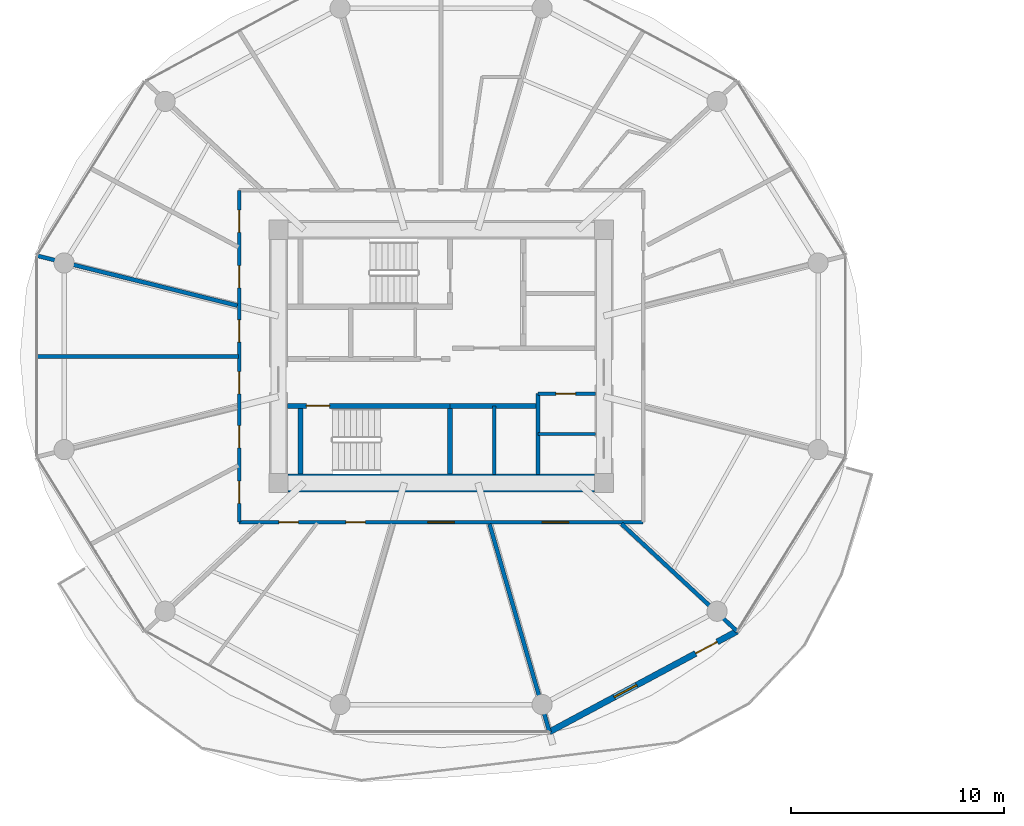
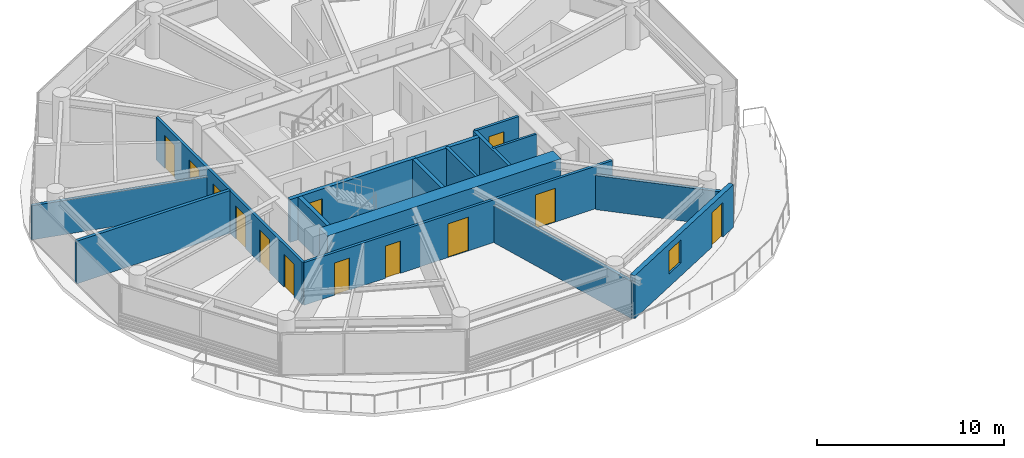
# One storey, part 15 of 26: 16 walls, 13 doors, 1 window, 14 openings.
"""IFC4 building model written with IfcOpenShell, lengths in metres."""

from ifc_helpers import new_model, si_unit, direction, frame, frame_2d, origin, place, context, subcontext, project, spatial, rectangle, extrude, source, transform, mapped, material, layer, layer_set, type_object, type_shapes, element, fill, save


model = new_model("IFC4")

# Units and contexts
model_context = context("Model", 3, precision=1e-05, world=origin(), true_north=direction((0.0, 1.0)))
body_context = subcontext(model_context, "Body", "Model", "MODEL_VIEW")
ifc_project = project(units=[si_unit("LENGTHUNIT", "METRE"), si_unit("AREAUNIT", "SQUARE_METRE"), si_unit("VOLUMEUNIT", "CUBIC_METRE"), si_unit("PLANEANGLEUNIT", "RADIAN"), si_unit("MASSUNIT", "GRAM", prefix="KILO")], contexts=[model_context])

# Site, building, storey
site_placement = place(None, origin())
site = spatial("IfcSite", under=ifc_project, at=site_placement, CompositionType="ELEMENT")
building_placement = place(site_placement, origin())
building = spatial("IfcBuilding", under=site, at=building_placement, Name="Norrkilde Senior Care Towers", CompositionType="ELEMENT")
storey_placement = place(building_placement, frame((0.0, 0.0, 55.14990234375)))
storey = spatial("IfcBuildingStorey", under=building, at=storey_placement, Name="L16", CompositionType="ELEMENT", Elevation=55.14990234375)

# Wall
ifc_material_1 = material(Name="Concrete C60/75", Category="concrete")
ifc_layer_1 = layer(ifc_material_1, 0.85009765625)
ifc_layer_set_1 = layer_set([ifc_layer_1], Name="Concrete C60/75")
wall_type_1 = type_object("IfcWallType", Name="Core Shear Wall Z1 850", PredefinedType="SHEAR", material=ifc_layer_set_1)
shared_shape_1 = source(origin(), body_context, "Body", "SweptSolid", [
    extrude(rectangle(XDim=14.39990234375, YDim=0.85009765625, at=frame_2d((7.199951171875, 0.0))), origin(), (0.0, 0.0, 1.0), 2.7900390625),
])
type_shapes(wall_type_1, [shared_shape_1])
wall_1_placement = place(storey_placement, frame((-20.800048828125, -5.949951171875, 0.0), z_axis=(0.0, 0.0, 1.0), x_axis=(-1.0, 0.0, 0.0)))
element("IfcWall", 1, at=wall_1_placement, inside=storey, type_object=wall_type_1, Name="L16 Core W South Shear Wall", PredefinedType="SHEAR", context=body_context, shape_type="MappedRepresentation", body=[
    mapped(shared_shape_1, transform((0.0, 0.0, 0.0), x_axis=(1.0, 0.0, 0.0), y_axis=(0.0, 1.0, 0.0), z_axis=(0.0, 0.0, 1.0), scale=1.0)),
])

# Wall, openings, door, window
ifc_material_2 = material(Name="Precast concrete C45/55", Category="concrete")
ifc_layer_2 = layer(ifc_material_2, 0.2900390625)
ifc_layer_set_2 = layer_set([ifc_layer_2], Name="Precast concrete C45/55")
wall_type_2 = type_object("IfcWallType", Name="Winter Garden Facade Wall 290", PredefinedType="SOLIDWALL", material=ifc_layer_set_2)
shared_shape_2 = source(origin(), body_context, "Body", "SweptSolid", [
    extrude(rectangle(XDim=10.0107421875, YDim=0.2900390625, at=frame_2d((5.00537109375, 0.0))), origin(), (0.0, 0.0, 1.0), 2.7900390625),
])
type_shapes(wall_type_2, [shared_shape_2])
wall_2_placement = place(storey_placement, frame((-14.084228515625, -12.926025390625, 0.0), z_axis=(0.0, 0.0, 1.0), x_axis=(-0.881272505317, -0.472608475773, 0.0)))
wall_2 = element("IfcWall", 2, at=wall_2_placement, inside=storey, type_object=wall_type_2, Name="L16 Drum W Balcony Access Wall 09", PredefinedType="SOLIDWALL", context=body_context, shape_type="MappedRepresentation", body=[
    mapped(shared_shape_2, transform((0.0, 0.0, 0.0), x_axis=(1.0, 0.0, 0.0), y_axis=(0.0, 1.0, 0.0), z_axis=(0.0, 0.0, 1.0), scale=1.0)),
])
opening_1_placement = place(wall_2_placement, frame((1.06005859375, 0.0, 0.0)))
opening_1 = element("IfcOpeningElement", 3, at=opening_1_placement, cuts=wall_2, Name="Opening D-09", PredefinedType="OPENING", context=body_context, shape_type="SweptSolid", body=[
    extrude(rectangle(XDim=1.14990234375, YDim=2.25, at=frame_2d((0.574951171875, 1.125))), frame((0.0, 0.155029296875, 0.0), z_axis=(0.0, -1.0, 0.0), x_axis=(1.0, 0.0, 0.0)), (0.0, 0.0, 1.0), 0.31005859375),
])
opening_2_placement = place(wall_2_placement, frame((5.35546875, 0.0, 0.85009765625)))
opening_2 = element("IfcOpeningElement", 4, at=opening_2_placement, cuts=wall_2, Name="Opening WN-07", PredefinedType="OPENING", context=body_context, shape_type="SweptSolid", body=[
    extrude(rectangle(XDim=1.199951171875, YDim=1.5, at=frame_2d((0.60009765625, 0.75))), frame((0.0, 0.155029296875, 0.0), z_axis=(0.0, -1.0, 0.0), x_axis=(1.0, 0.0, 0.0)), (0.0, 0.0, 1.0), 0.31005859375),
])
ifc_material_3 = material(Name="Anodised Aluminium", Category="aluminium")
door_type_1 = type_object("IfcDoorType", Name="Terrace and Balcony Glazed Door 1150x2250", OperationType="NOTDEFINED", PredefinedType="DOOR", material=ifc_material_3)
shared_shape_3 = source(origin(), body_context, "Body", "SweptSolid", [
    extrude(rectangle(XDim=1.14990234375, YDim=2.25, at=frame_2d((0.574951171875, 1.125))), frame((0.0, 0.02490234375, 0.0), z_axis=(0.0, -1.0, 0.0), x_axis=(1.0, 0.0, 0.0)), (0.0, 0.0, 1.0), 0.050048828125),
])
type_shapes(door_type_1, [shared_shape_3])
door_1_placement = place(opening_1_placement, origin())
door_1 = element("IfcDoor", 5, at=door_1_placement, inside=storey, type_object=door_type_1, Name="L16 Drum W Outdoor Terrace Door 09", OperationType="SINGLE_SWING_RIGHT", OverallHeight=2.25, OverallWidth=1.14990234375, PredefinedType="DOOR", context=body_context, shape_type="MappedRepresentation", body=[
    mapped(shared_shape_3, transform((0.0, 0.0, 0.0), x_axis=(1.0, 0.0, 0.0), y_axis=(0.0, 1.0, 0.0), z_axis=(0.0, 0.0, 1.0), scale=1.0)),
])
fill(opening_1, door_1)
ifc_material_4 = material(Name="Triple Low-E Insulated Glazing", Category="glass")
window_type = type_object("IfcWindowType", Name="Stairwell Smoke Vent Window 1200x1500", PartitioningType="SINGLE_PANEL", PredefinedType="WINDOW", material=ifc_material_4)
shared_shape_4 = source(origin(), body_context, "Body", "SweptSolid", [
    extrude(rectangle(XDim=1.199951171875, YDim=1.5, at=frame_2d((0.60009765625, 0.75))), frame((0.0, 0.030029296875, 0.0), z_axis=(0.0, -1.0, 0.0), x_axis=(1.0, 0.0, 0.0)), (0.0, 0.0, 1.0), 0.06005859375),
])
type_shapes(window_type, [shared_shape_4])
window_placement = place(opening_2_placement, origin())
window = element("IfcWindow", 6, at=window_placement, inside=storey, type_object=window_type, Name="L16 Drum W Winter Garden Window 09", OverallHeight=1.5, OverallWidth=1.199951171875, PartitioningType="SINGLE_PANEL", PredefinedType="WINDOW", context=body_context, shape_type="MappedRepresentation", body=[
    mapped(shared_shape_4, transform((0.0, 0.0, 0.0), x_axis=(1.0, 0.0, 0.0), y_axis=(0.0, 1.0, 0.0), z_axis=(0.0, 0.0, 1.0), scale=1.0)),
])
fill(opening_2, window)

# Wall, opening, door
ifc_material_5 = material(Name="Concrete C45/55", Category="concrete")
ifc_layer_3 = layer(ifc_material_5, 0.239990234375)
ifc_layer_set_3 = layer_set([ifc_layer_3], Name="Concrete C45/55")
wall_type_3 = type_object("IfcWallType", Name="Shaft and Stair Enclosure Wall 240", PredefinedType="PARTITIONING", material=ifc_layer_set_3)
shared_shape_5 = source(origin(), body_context, "Body", "SweptSolid", [
    extrude(rectangle(XDim=7.76513671875, YDim=0.239990234375, at=frame_2d((3.882568359375, 0.0))), origin(), (0.0, 0.0, 1.0), 2.7900390625),
])
wall_3_placement = place(storey_placement, frame((-35.22509765625, -2.330078125, 0.0), z_axis=(0.0, 0.0, 1.0), x_axis=(1.0, 0.0, 0.0)))
wall_3 = element("IfcWall", 7, at=wall_3_placement, inside=storey, type_object=wall_type_3, Name="WL-INT-L16-W-ST2N", PredefinedType="PARTITIONING", context=body_context, shape_type="MappedRepresentation", body=[
    mapped(shared_shape_5, transform((0.0, 0.0, 0.0), x_axis=(1.0, 0.0, 0.0), y_axis=(0.0, 1.0, 0.0), z_axis=(0.0, 0.0, 1.0), scale=1.0)),
])
opening_3_placement = place(wall_3_placement, frame((0.885009765625, 0.0, 0.0)))
opening_3 = element("IfcOpeningElement", 8, at=opening_3_placement, cuts=wall_3, Name="Opening D-03", PredefinedType="OPENING", context=body_context, shape_type="SweptSolid", body=[
    extrude(rectangle(XDim=1.10009765625, YDim=2.14990234375, at=frame_2d((0.550048828125, 1.074951171875))), frame((0.0, 0.1298828125, 0.0), z_axis=(0.0, -1.0, 0.0), x_axis=(1.0, 0.0, 0.0)), (0.0, 0.0, 1.0), 0.260009765625),
])
ifc_material_6 = material(Name="Galvanised Painted Steel", Category="steel")
door_type_2 = type_object("IfcDoorType", Name="Stairwell Protected Fire Door 1100x2150", OperationType="NOTDEFINED", PredefinedType="DOOR", material=ifc_material_6)
shared_shape_6 = source(origin(), body_context, "Body", "SweptSolid", [
    extrude(rectangle(XDim=1.10009765625, YDim=2.14990234375, at=frame_2d((0.550048828125, 1.074951171875))), frame((0.0, 0.02490234375, 0.0), z_axis=(0.0, -1.0, 0.0), x_axis=(1.0, 0.0, 0.0)), (0.0, 0.0, 1.0), 0.050048828125),
])
type_shapes(door_type_2, [shared_shape_6])
door_2_placement = place(opening_3_placement, frame((1.10009765625, 0.0, 0.0), z_axis=(0.0, 0.0, 1.0), x_axis=(-1.0, 0.0, 0.0)))
door_2 = element("IfcDoor", 9, at=door_2_placement, inside=storey, type_object=door_type_2, Name="L16 Stair W2 Fire Door", OperationType="SINGLE_SWING_RIGHT", OverallHeight=2.14990234375, OverallWidth=1.10009765625, PredefinedType="DOOR", context=body_context, shape_type="MappedRepresentation", body=[
    mapped(shared_shape_6, transform((0.0, 0.0, 0.0), x_axis=(1.0, 0.0, 0.0), y_axis=(0.0, 1.0, 0.0), z_axis=(0.0, 0.0, 1.0), scale=1.0)),
])
fill(opening_3, door_2)

# Walls
shared_shape_7 = source(origin(), body_context, "Body", "SweptSolid", [
    extrude(rectangle(XDim=3.074951171875, YDim=0.239990234375, at=frame_2d((1.53759765625, 0.0))), origin(), (0.0, 0.0, 1.0), 2.7900390625),
])
type_shapes(wall_type_3, [shared_shape_5, shared_shape_7])
for number, where, z_axis, x_axis, name in (
    (10, (-34.6201171875, -5.52490234375, 0.0), (0.0, 0.0, 1.0), (0.0, 1.0, 0.0), "WL-INT-L16-W-ST2W"),
    (11, (-27.580078125, -5.52490234375, 0.0), (0.0, 0.0, 1.0), (0.0, 1.0, 0.0), "WL-INT-L16-W-ST2E"),
):
    element("IfcWall", number, at=place(storey_placement, frame(where, z_axis=z_axis, x_axis=x_axis)), inside=storey, type_object=wall_type_3, Name=name, PredefinedType="PARTITIONING", context=body_context, shape_type="MappedRepresentation", body=[
        mapped(shared_shape_7, transform((0.0, 0.0, 0.0), x_axis=(1.0, 0.0, 0.0), y_axis=(0.0, 1.0, 0.0), z_axis=(0.0, 0.0, 1.0), scale=1.0)),
    ])
ifc_layer_4 = layer(ifc_material_5, 0.199951171875)
ifc_layer_set_4 = layer_set([ifc_layer_4], Name="Concrete C45/55")
wall_type_4 = type_object("IfcWallType", Name="Shaft Division and Plant Partition 200", PredefinedType="PARTITIONING", material=ifc_layer_set_4)
shared_shape_8 = source(origin(), body_context, "Body", "SweptSolid", [
    extrude(rectangle(XDim=3.800048828125, YDim=0.199951171875, at=frame_2d((1.89990234375, 0.0))), origin(), (0.0, 0.0, 1.0), 2.775146484375),
])
type_shapes(wall_type_4, [shared_shape_8])
wall_4_placement = place(storey_placement, frame((-23.449951171875, -5.550048828125, 0.0), z_axis=(0.0, 0.0, 1.0), x_axis=(0.0, 1.0, 0.0)))
element("IfcWall", 12, at=wall_4_placement, inside=storey, type_object=wall_type_4, Name="WL-INT-L16-W-PKBE", PredefinedType="PARTITIONING", context=body_context, shape_type="MappedRepresentation", body=[
    mapped(shared_shape_8, transform((0.0, 0.0, 0.0), x_axis=(1.0, 0.0, 0.0), y_axis=(0.0, 1.0, 0.0), z_axis=(0.0, 0.0, 1.0), scale=1.0)),
])
ifc_layer_5 = layer(ifc_material_5, 0.239990234375)
ifc_layer_set_5 = layer_set([ifc_layer_5], Name="Concrete C45/55")
wall_type_5 = type_object("IfcWallType", Name="Lift and Plant Rated Enclosure Partition 240", PredefinedType="PARTITIONING", material=ifc_layer_set_5)
shared_shape_9 = source(origin(), body_context, "Body", "SweptSolid", [
    extrude(rectangle(XDim=4.130126953125, YDim=0.239990234375, at=frame_2d((2.06494140625, 0.0))), origin(), (0.0, 0.0, 1.0), 2.775146484375),
])
type_shapes(wall_type_5, [shared_shape_9])
wall_5_placement = place(storey_placement, frame((-27.580078125, -2.330078125, 0.0), z_axis=(0.0, 0.0, 1.0), x_axis=(1.0, 0.0, 0.0)))
element("IfcWall", 13, at=wall_5_placement, inside=storey, type_object=wall_type_5, Name="WL-INT-L16-W-PKBN", PredefinedType="PARTITIONING", context=body_context, shape_type="MappedRepresentation", body=[
    mapped(shared_shape_9, transform((0.0, 0.0, 0.0), x_axis=(1.0, 0.0, 0.0), y_axis=(0.0, 1.0, 0.0), z_axis=(0.0, 0.0, 1.0), scale=1.0)),
])
ifc_layer_6 = layer(ifc_material_5, 0.179931640625)
ifc_layer_set_6 = layer_set([ifc_layer_6], Name="Concrete C45/55")
wall_type_6 = type_object("IfcWallType", Name="Hoistway Division Rated Partition 180", PredefinedType="PARTITIONING", material=ifc_layer_set_6)
shared_shape_10 = source(origin(), body_context, "Body", "SweptSolid", [
    extrude(rectangle(XDim=3.219970703125, YDim=0.179931640625, at=frame_2d((1.60986328125, 0.0))), origin(), (0.0, 0.0, 1.0), 2.775146484375),
])
type_shapes(wall_type_6, [shared_shape_10])
wall_6_placement = place(storey_placement, frame((-25.5, -5.550048828125, 0.0), z_axis=(0.0, 0.0, 1.0), x_axis=(0.0, 1.0, 0.0)))
element("IfcWall", 14, at=wall_6_placement, inside=storey, type_object=wall_type_6, Name="WL-INT-L16-W-PL34", PredefinedType="PARTITIONING", context=body_context, shape_type="MappedRepresentation", body=[
    mapped(shared_shape_10, transform((0.0, 0.0, 0.0), x_axis=(1.0, 0.0, 0.0), y_axis=(0.0, 1.0, 0.0), z_axis=(0.0, 0.0, 1.0), scale=1.0)),
])

# Wall, opening, door
ifc_material_7 = material(Name="Gypsum Acoustic Board")
ifc_layer_7 = layer(ifc_material_7, 0.1650390625)
ifc_layer_set_7 = layer_set([ifc_layer_7], Name="Gypsum Acoustic Board")
wall_type_7 = type_object("IfcWallType", Name="Corridor Rated Partition 165", PredefinedType="PARTITIONING", material=ifc_layer_set_7)
shared_shape_11 = source(origin(), body_context, "Body", "SweptSolid", [
    extrude(rectangle(XDim=2.699951171875, YDim=0.1650390625, at=frame_2d((1.35009765625, 0.0))), origin(), (0.0, 0.0, 1.0), 2.775146484375),
])
wall_7_placement = place(storey_placement, frame((-23.449951171875, -1.75, 0.0), z_axis=(0.0, 0.0, 1.0), x_axis=(1.0, 0.0, 0.0)))
wall_7 = element("IfcWall", 15, at=wall_7_placement, inside=storey, type_object=wall_type_7, Name="WL-INT-L16-W-CSN", PredefinedType="PARTITIONING", context=body_context, shape_type="MappedRepresentation", body=[
    mapped(shared_shape_11, transform((0.0, 0.0, 0.0), x_axis=(1.0, 0.0, 0.0), y_axis=(0.0, 1.0, 0.0), z_axis=(0.0, 0.0, 1.0), scale=1.0)),
])
opening_4_placement = place(wall_7_placement, frame((0.85009765625, 0.0, 0.0)))
opening_4 = element("IfcOpeningElement", 16, at=opening_4_placement, cuts=wall_7, Name="Opening D-12", PredefinedType="OPENING", context=body_context, shape_type="SweptSolid", body=[
    extrude(rectangle(XDim=0.925048828125, YDim=2.10009765625, at=frame_2d((0.46240234375, 1.050048828125))), frame((0.0, 0.092529296875, 0.0), z_axis=(0.0, -1.0, 0.0), x_axis=(1.0, 0.0, 0.0)), (0.0, 0.0, 1.0), 0.18505859375),
])
door_type_3 = type_object("IfcDoorType", Name="Core Wet Room Rated Door 925x2100", OperationType="NOTDEFINED", PredefinedType="DOOR", material=ifc_material_6)
shared_shape_12 = source(origin(), body_context, "Body", "SweptSolid", [
    extrude(rectangle(XDim=0.925048828125, YDim=2.10009765625, at=frame_2d((0.46240234375, 1.050048828125))), frame((0.0, 0.02490234375, 0.0), z_axis=(0.0, -1.0, 0.0), x_axis=(1.0, 0.0, 0.0)), (0.0, 0.0, 1.0), 0.050048828125),
])
type_shapes(door_type_3, [shared_shape_12])
door_3_placement = place(opening_4_placement, origin())
door_3 = element("IfcDoor", 17, at=door_3_placement, inside=storey, type_object=door_type_3, Name="L16 Staff WC W Door", OperationType="SINGLE_SWING_LEFT", OverallHeight=2.10009765625, OverallWidth=0.925048828125, PredefinedType="DOOR", context=body_context, shape_type="MappedRepresentation", body=[
    mapped(shared_shape_12, transform((0.0, 0.0, 0.0), x_axis=(1.0, 0.0, 0.0), y_axis=(0.0, 1.0, 0.0), z_axis=(0.0, 0.0, 1.0), scale=1.0)),
])
fill(opening_4, door_3)

# Wall, openings, doors
shared_shape_13 = source(origin(), body_context, "Body", "SweptSolid", [
    extrude(rectangle(XDim=19.0, YDim=0.1650390625, at=frame_2d((9.5, 0.0))), origin(), (0.0, 0.0, 1.0), 2.775146484375),
])
wall_8_placement = place(storey_placement, frame((-18.5, -7.800048828125, 0.0), z_axis=(0.0, 0.0, 1.0), x_axis=(-1.0, 0.0, 0.0)))
wall_8 = element("IfcWall", 18, at=wall_8_placement, inside=storey, type_object=wall_type_7, Name="WL-INT-L16-W-CRW-S-0", PredefinedType="PARTITIONING", context=body_context, shape_type="MappedRepresentation", body=[
    mapped(shared_shape_13, transform((0.0, 0.0, 0.0), x_axis=(1.0, 0.0, 0.0), y_axis=(0.0, 1.0, 0.0), z_axis=(0.0, 0.0, 1.0), scale=1.0)),
])
opening_5_placement = place(wall_8_placement, frame((16.213623046875, 0.0, 0.0)))
opening_5 = element("IfcOpeningElement", 19, at=opening_5_placement, cuts=wall_8, Name="Opening D-08", PredefinedType="OPENING", context=body_context, shape_type="SweptSolid", body=[
    extrude(rectangle(XDim=0.919921875, YDim=2.10009765625, at=frame_2d((0.4599609375, 1.050048828125))), frame((0.0, 0.092529296875, 0.0), z_axis=(0.0, -1.0, 0.0), x_axis=(1.0, 0.0, 0.0)), (0.0, 0.0, 1.0), 0.18505859375),
])
opening_6_placement = place(wall_8_placement, frame((13.062744140625, 0.0, 0.0)))
opening_6 = element("IfcOpeningElement", 20, at=opening_6_placement, cuts=wall_8, Name="Opening D-08", PredefinedType="OPENING", context=body_context, shape_type="SweptSolid", body=[
    extrude(rectangle(XDim=0.919921875, YDim=2.10009765625, at=frame_2d((0.4599609375, 1.050048828125))), frame((0.0, 0.092529296875, 0.0), z_axis=(0.0, -1.0, 0.0), x_axis=(1.0, 0.0, 0.0)), (0.0, 0.0, 1.0), 0.18505859375),
])
opening_7_placement = place(wall_8_placement, frame((8.875, 0.0, 0.0)))
opening_7 = element("IfcOpeningElement", 21, at=opening_7_placement, cuts=wall_8, Name="Opening D-05", PredefinedType="OPENING", context=body_context, shape_type="SweptSolid", body=[
    extrude(rectangle(XDim=1.25, YDim=2.199951171875, at=frame_2d((0.625, 1.10009765625))), frame((0.0, 0.092529296875, 0.0), z_axis=(0.0, -1.0, 0.0), x_axis=(1.0, 0.0, 0.0)), (0.0, 0.0, 1.0), 0.18505859375),
])
opening_8_placement = place(wall_8_placement, frame((3.505615234375, 0.0, 0.0)))
opening_8 = element("IfcOpeningElement", 22, at=opening_8_placement, cuts=wall_8, Name="Opening D-05", PredefinedType="OPENING", context=body_context, shape_type="SweptSolid", body=[
    extrude(rectangle(XDim=1.25, YDim=2.199951171875, at=frame_2d((0.625, 1.10009765625))), frame((0.0, 0.092529296875, 0.0), z_axis=(0.0, -1.0, 0.0), x_axis=(1.0, 0.0, 0.0)), (0.0, 0.0, 1.0), 0.18505859375),
])
ifc_material_8 = material(Name="Nordic Ash Timber", Category="wood")
door_type_4 = type_object("IfcDoorType", Name="Care Bedroom Bariatric Door 1250x2200", OperationType="NOTDEFINED", PredefinedType="DOOR", material=ifc_material_8)
shared_shape_14 = source(origin(), body_context, "Body", "SweptSolid", [
    extrude(rectangle(XDim=1.25, YDim=2.199951171875, at=frame_2d((0.625, 1.10009765625))), frame((0.0, 0.02490234375, 0.0), z_axis=(0.0, -1.0, 0.0), x_axis=(1.0, 0.0, 0.0)), (0.0, 0.0, 1.0), 0.050048828125),
])
type_shapes(door_type_4, [shared_shape_14])
door_4_placement = place(opening_7_placement, frame((1.25, 0.0, 0.0), z_axis=(0.0, 0.0, 1.0), x_axis=(-1.0, 0.0, 0.0)))
door_4 = element("IfcDoor", 23, at=door_4_placement, inside=storey, type_object=door_type_4, Name="L16 Household Communal Dining Salon Door", OperationType="SINGLE_SWING_LEFT", OverallHeight=2.199951171875, OverallWidth=1.25, PredefinedType="DOOR", context=body_context, shape_type="MappedRepresentation", body=[
    mapped(shared_shape_14, transform((0.0, 0.0, 0.0), x_axis=(1.0, 0.0, 0.0), y_axis=(0.0, 1.0, 0.0), z_axis=(0.0, 0.0, 1.0), scale=1.0)),
])
fill(opening_7, door_4)
door_5_placement = place(opening_8_placement, frame((1.25, 0.0, 0.0), z_axis=(0.0, 0.0, 1.0), x_axis=(-1.0, 0.0, 0.0)))
door_5 = element("IfcDoor", 24, at=door_5_placement, inside=storey, type_object=door_type_4, Name="L16 Care Coordination Charting Office Door", OperationType="SINGLE_SWING_RIGHT", OverallHeight=2.199951171875, OverallWidth=1.25, PredefinedType="DOOR", context=body_context, shape_type="MappedRepresentation", body=[
    mapped(shared_shape_14, transform((0.0, 0.0, 0.0), x_axis=(1.0, 0.0, 0.0), y_axis=(0.0, 1.0, 0.0), z_axis=(0.0, 0.0, 1.0), scale=1.0)),
])
fill(opening_8, door_5)
door_type_5 = type_object("IfcDoorType", Name="Accessible Wet Room Door 920x2100", OperationType="NOTDEFINED", PredefinedType="DOOR", material=ifc_material_8)
shared_shape_15 = source(origin(), body_context, "Body", "SweptSolid", [
    extrude(rectangle(XDim=0.919921875, YDim=2.10009765625, at=frame_2d((0.4599609375, 1.050048828125))), frame((0.0, 0.02490234375, 0.0), z_axis=(0.0, -1.0, 0.0), x_axis=(1.0, 0.0, 0.0)), (0.0, 0.0, 1.0), 0.050048828125),
])
type_shapes(door_type_5, [shared_shape_15])
door_6_placement = place(opening_5_placement, frame((0.919921875, 0.0, 0.0), z_axis=(0.0, 0.0, 1.0), x_axis=(-1.0, 0.0, 0.0)))
door_6 = element("IfcDoor", 25, at=door_6_placement, inside=storey, type_object=door_type_5, Name="L16 Accessible Restroom Door", OperationType="SINGLE_SWING_RIGHT", OverallHeight=2.10009765625, OverallWidth=0.919921875, PredefinedType="DOOR", context=body_context, shape_type="MappedRepresentation", body=[
    mapped(shared_shape_15, transform((0.0, 0.0, 0.0), x_axis=(1.0, 0.0, 0.0), y_axis=(0.0, 1.0, 0.0), z_axis=(0.0, 0.0, 1.0), scale=1.0)),
])
fill(opening_5, door_6)
door_7_placement = place(opening_6_placement, frame((0.919921875, 0.0, 0.0), z_axis=(0.0, 0.0, 1.0), x_axis=(-1.0, 0.0, 0.0)))
door_7 = element("IfcDoor", 26, at=door_7_placement, inside=storey, type_object=door_type_5, Name="L16 Public Restroom Door", OperationType="SINGLE_SWING_LEFT", OverallHeight=2.10009765625, OverallWidth=0.919921875, PredefinedType="DOOR", context=body_context, shape_type="MappedRepresentation", body=[
    mapped(shared_shape_15, transform((0.0, 0.0, 0.0), x_axis=(1.0, 0.0, 0.0), y_axis=(0.0, 1.0, 0.0), z_axis=(0.0, 0.0, 1.0), scale=1.0)),
])
fill(opening_6, door_7)

shared_shape_16 = source(origin(), body_context, "Body", "SweptSolid", [
    extrude(rectangle(XDim=15.60009765625, YDim=0.1650390625, at=frame_2d((7.800048828125, 0.0))), origin(), (0.0, 0.0, 1.0), 2.775146484375),
])
type_shapes(wall_type_7, [shared_shape_11, shared_shape_13, shared_shape_16])
wall_9_placement = place(storey_placement, frame((-37.5, -7.800048828125, 0.0), z_axis=(0.0, 0.0, 1.0), x_axis=(0.0, 1.0, 0.0)))
wall_9 = element("IfcWall", 27, at=wall_9_placement, inside=storey, type_object=wall_type_7, Name="WL-INT-L16-W-CRW-W-0", PredefinedType="PARTITIONING", context=body_context, shape_type="MappedRepresentation", body=[
    mapped(shared_shape_16, transform((0.0, 0.0, 0.0), x_axis=(1.0, 0.0, 0.0), y_axis=(0.0, 1.0, 0.0), z_axis=(0.0, 0.0, 1.0), scale=1.0)),
])
opening_9_placement = place(wall_9_placement, frame((13.623046875, 0.0, 0.0)))
opening_9 = element("IfcOpeningElement", 28, at=opening_9_placement, cuts=wall_9, Name="Opening D-06", PredefinedType="OPENING", context=body_context, shape_type="SweptSolid", body=[
    extrude(rectangle(XDim=1.050048828125, YDim=2.14990234375, at=frame_2d((0.52490234375, 1.074951171875))), frame((0.0, 0.092529296875, 0.0), z_axis=(0.0, -1.0, 0.0), x_axis=(1.0, 0.0, 0.0)), (0.0, 0.0, 1.0), 0.18505859375),
])
opening_10_placement = place(wall_9_placement, frame((11.017578125, 0.0, 0.0)))
opening_10 = element("IfcOpeningElement", 29, at=opening_10_placement, cuts=wall_9, Name="Opening D-06", PredefinedType="OPENING", context=body_context, shape_type="SweptSolid", body=[
    extrude(rectangle(XDim=1.050048828125, YDim=2.14990234375, at=frame_2d((0.52490234375, 1.074951171875))), frame((0.0, 0.092529296875, 0.0), z_axis=(0.0, -1.0, 0.0), x_axis=(1.0, 0.0, 0.0)), (0.0, 0.0, 1.0), 0.18505859375),
])
opening_11_placement = place(wall_9_placement, frame((8.467041015625, 0.0, 0.0)))
opening_11 = element("IfcOpeningElement", 30, at=opening_11_placement, cuts=wall_9, Name="Opening D-06", PredefinedType="OPENING", context=body_context, shape_type="SweptSolid", body=[
    extrude(rectangle(XDim=1.050048828125, YDim=2.14990234375, at=frame_2d((0.52490234375, 1.074951171875))), frame((0.0, 0.092529296875, 0.0), z_axis=(0.0, -1.0, 0.0), x_axis=(1.0, 0.0, 0.0)), (0.0, 0.0, 1.0), 0.18505859375),
])
opening_12_placement = place(wall_9_placement, frame((6.03466796875, 0.0, 0.0)))
opening_12 = element("IfcOpeningElement", 31, at=opening_12_placement, cuts=wall_9, Name="Opening D-06", PredefinedType="OPENING", context=body_context, shape_type="SweptSolid", body=[
    extrude(rectangle(XDim=1.050048828125, YDim=2.14990234375, at=frame_2d((0.52490234375, 1.074951171875))), frame((0.0, 0.092529296875, 0.0), z_axis=(0.0, -1.0, 0.0), x_axis=(1.0, 0.0, 0.0)), (0.0, 0.0, 1.0), 0.18505859375),
])
opening_13_placement = place(wall_9_placement, frame((3.489013671875, 0.0, 0.0)))
opening_13 = element("IfcOpeningElement", 32, at=opening_13_placement, cuts=wall_9, Name="Opening D-06", PredefinedType="OPENING", context=body_context, shape_type="SweptSolid", body=[
    extrude(rectangle(XDim=1.050048828125, YDim=2.14990234375, at=frame_2d((0.52490234375, 1.074951171875))), frame((0.0, 0.092529296875, 0.0), z_axis=(0.0, -1.0, 0.0), x_axis=(1.0, 0.0, 0.0)), (0.0, 0.0, 1.0), 0.18505859375),
])
opening_14_placement = place(wall_9_placement, frame((0.881591796875, 0.0, 0.0)))
opening_14 = element("IfcOpeningElement", 33, at=opening_14_placement, cuts=wall_9, Name="Opening D-06", PredefinedType="OPENING", context=body_context, shape_type="SweptSolid", body=[
    extrude(rectangle(XDim=1.050048828125, YDim=2.14990234375, at=frame_2d((0.52490234375, 1.074951171875))), frame((0.0, 0.092529296875, 0.0), z_axis=(0.0, -1.0, 0.0), x_axis=(1.0, 0.0, 0.0)), (0.0, 0.0, 1.0), 0.18505859375),
])
door_type_6 = type_object("IfcDoorType", Name="Apartment Entrance Fire Door 1050x2150", OperationType="NOTDEFINED", PredefinedType="DOOR", material=ifc_material_8)
shared_shape_17 = source(origin(), body_context, "Body", "SweptSolid", [
    extrude(rectangle(XDim=1.050048828125, YDim=2.14990234375, at=frame_2d((0.52490234375, 1.074951171875))), frame((0.0, 0.02490234375, 0.0), z_axis=(0.0, -1.0, 0.0), x_axis=(1.0, 0.0, 0.0)), (0.0, 0.0, 1.0), 0.050048828125),
])
type_shapes(door_type_6, [shared_shape_17])
door_8_placement = place(opening_9_placement, frame((1.050048828125, 0.0, 0.0), z_axis=(0.0, 0.0, 1.0), x_axis=(-1.0, 0.0, 0.0)))
door_8 = element("IfcDoor", 34, at=door_8_placement, inside=storey, type_object=door_type_6, Name="L16 Physiotherapy Clinic 4A Door", OperationType="SINGLE_SWING_LEFT", OverallHeight=2.14990234375, OverallWidth=1.050048828125, PredefinedType="DOOR", context=body_context, shape_type="MappedRepresentation", body=[
    mapped(shared_shape_17, transform((0.0, 0.0, 0.0), x_axis=(1.0, 0.0, 0.0), y_axis=(0.0, 1.0, 0.0), z_axis=(0.0, 0.0, 1.0), scale=1.0)),
])
fill(opening_9, door_8)
door_9_placement = place(opening_10_placement, frame((1.050048828125, 0.0, 0.0), z_axis=(0.0, 0.0, 1.0), x_axis=(-1.0, 0.0, 0.0)))
door_9 = element("IfcDoor", 35, at=door_9_placement, inside=storey, type_object=door_type_6, Name="L16 Assessment Clinic 4B Door", OperationType="SINGLE_SWING_RIGHT", OverallHeight=2.14990234375, OverallWidth=1.050048828125, PredefinedType="DOOR", context=body_context, shape_type="MappedRepresentation", body=[
    mapped(shared_shape_17, transform((0.0, 0.0, 0.0), x_axis=(1.0, 0.0, 0.0), y_axis=(0.0, 1.0, 0.0), z_axis=(0.0, 0.0, 1.0), scale=1.0)),
])
fill(opening_10, door_9)
door_10_placement = place(opening_11_placement, frame((1.050048828125, 0.0, 0.0), z_axis=(0.0, 0.0, 1.0), x_axis=(-1.0, 0.0, 0.0)))
door_10 = element("IfcDoor", 36, at=door_10_placement, inside=storey, type_object=door_type_6, Name="L16 Physiotherapy Clinic 5A Door", OperationType="SINGLE_SWING_RIGHT", OverallHeight=2.14990234375, OverallWidth=1.050048828125, PredefinedType="DOOR", context=body_context, shape_type="MappedRepresentation", body=[
    mapped(shared_shape_17, transform((0.0, 0.0, 0.0), x_axis=(1.0, 0.0, 0.0), y_axis=(0.0, 1.0, 0.0), z_axis=(0.0, 0.0, 1.0), scale=1.0)),
])
fill(opening_11, door_10)
door_11_placement = place(opening_12_placement, frame((1.050048828125, 0.0, 0.0), z_axis=(0.0, 0.0, 1.0), x_axis=(-1.0, 0.0, 0.0)))
door_11 = element("IfcDoor", 37, at=door_11_placement, inside=storey, type_object=door_type_6, Name="L16 Assessment Clinic 5B Door", OperationType="SINGLE_SWING_LEFT", OverallHeight=2.14990234375, OverallWidth=1.050048828125, PredefinedType="DOOR", context=body_context, shape_type="MappedRepresentation", body=[
    mapped(shared_shape_17, transform((0.0, 0.0, 0.0), x_axis=(1.0, 0.0, 0.0), y_axis=(0.0, 1.0, 0.0), z_axis=(0.0, 0.0, 1.0), scale=1.0)),
])
fill(opening_12, door_11)
door_12_placement = place(opening_13_placement, frame((1.050048828125, 0.0, 0.0), z_axis=(0.0, 0.0, 1.0), x_axis=(-1.0, 0.0, 0.0)))
door_12 = element("IfcDoor", 38, at=door_12_placement, inside=storey, type_object=door_type_6, Name="L16 Physiotherapy Clinic 6A Door", OperationType="SINGLE_SWING_LEFT", OverallHeight=2.14990234375, OverallWidth=1.050048828125, PredefinedType="DOOR", context=body_context, shape_type="MappedRepresentation", body=[
    mapped(shared_shape_17, transform((0.0, 0.0, 0.0), x_axis=(1.0, 0.0, 0.0), y_axis=(0.0, 1.0, 0.0), z_axis=(0.0, 0.0, 1.0), scale=1.0)),
])
fill(opening_13, door_12)
door_13_placement = place(opening_14_placement, frame((1.050048828125, 0.0, 0.0), z_axis=(0.0, 0.0, 1.0), x_axis=(-1.0, 0.0, 0.0)))
door_13 = element("IfcDoor", 39, at=door_13_placement, inside=storey, type_object=door_type_6, Name="L16 Assessment Clinic 6B Door", OperationType="SINGLE_SWING_RIGHT", OverallHeight=2.14990234375, OverallWidth=1.050048828125, PredefinedType="DOOR", context=body_context, shape_type="MappedRepresentation", body=[
    mapped(shared_shape_17, transform((0.0, 0.0, 0.0), x_axis=(1.0, 0.0, 0.0), y_axis=(0.0, 1.0, 0.0), z_axis=(0.0, 0.0, 1.0), scale=1.0)),
])
fill(opening_14, door_13)

# Walls
ifc_layer_8 = layer(ifc_material_7, 0.18994140625)
ifc_layer_set_8 = layer_set([ifc_layer_8], Name="Gypsum Acoustic Board")
wall_type_8 = type_object("IfcWallType", Name="Unit Demising Acoustic Wall 190", PredefinedType="PARTITIONING", material=ifc_layer_set_8)
shared_shape_18 = source(origin(), body_context, "Body", "SweptSolid", [
    extrude(rectangle(XDim=7.4345703125, YDim=0.18994140625, at=frame_2d((3.71728515625, 0.0))), origin(), (0.0, 0.0, 1.0), 2.22509765625),
])
wall_10_placement = place(storey_placement, frame((-19.51708984375, -7.8798828125, 0.0), z_axis=(0.0, 0.0, 1.0), x_axis=(0.732651956848, -0.680603489652, 0.0)))
element("IfcWall", 40, at=wall_10_placement, inside=storey, type_object=wall_type_8, Name="WL-INT-L16-W-DEM-10-0", PredefinedType="PARTITIONING", context=body_context, shape_type="MappedRepresentation", body=[
    mapped(shared_shape_18, transform((0.0, 0.0, 0.0), x_axis=(1.0, 0.0, 0.0), y_axis=(0.0, 1.0, 0.0), z_axis=(0.0, 0.0, 1.0), scale=1.0)),
])
shared_shape_19 = source(origin(), body_context, "Body", "SweptSolid", [
    extrude(rectangle(XDim=9.737060546875, YDim=0.18994140625, at=frame_2d((4.86865234375, 0.0))), origin(), (0.0, 0.0, 1.0), 2.22509765625),
])
wall_11_placement = place(storey_placement, frame((-37.580078125, 2.384521484375, 0.0), z_axis=(0.0, 0.0, 1.0), x_axis=(-0.970392716238, 0.241532557375, 0.0)))
element("IfcWall", 41, at=wall_11_placement, inside=storey, type_object=wall_type_8, Name="WL-INT-L16-W-DEM-05-0", PredefinedType="PARTITIONING", context=body_context, shape_type="MappedRepresentation", body=[
    mapped(shared_shape_19, transform((0.0, 0.0, 0.0), x_axis=(1.0, 0.0, 0.0), y_axis=(0.0, 1.0, 0.0), z_axis=(0.0, 0.0, 1.0), scale=1.0)),
])
ifc_layer_9 = layer(ifc_material_7, 0.139892578125)
ifc_layer_set_9 = layer_set([ifc_layer_9], Name="Gypsum Acoustic Board")
wall_type_9 = type_object("IfcWallType", Name="En-suite Wet Room Wall 140", PredefinedType="PARTITIONING", material=ifc_layer_set_9)
shared_shape_20 = source(origin(), body_context, "Body", "SweptSolid", [
    extrude(rectangle(XDim=2.699951171875, YDim=0.139892578125, at=frame_2d((1.35009765625, 0.0))), origin(), (0.0, 0.0, 1.0), 2.775146484375),
])
type_shapes(wall_type_9, [shared_shape_20])
wall_12_placement = place(storey_placement, frame((-23.449951171875, -3.64990234375, 0.0), z_axis=(0.0, 0.0, 1.0), x_axis=(1.0, 0.0, 0.0)))
element("IfcWall", 42, at=wall_12_placement, inside=storey, type_object=wall_type_9, Name="WL-INT-L16-W-CS2H", PredefinedType="PARTITIONING", context=body_context, shape_type="MappedRepresentation", body=[
    mapped(shared_shape_20, transform((0.0, 0.0, 0.0), x_axis=(1.0, 0.0, 0.0), y_axis=(0.0, 1.0, 0.0), z_axis=(0.0, 0.0, 1.0), scale=1.0)),
])
shared_shape_21 = source(origin(), body_context, "Body", "SweptSolid", [
    extrude(rectangle(XDim=9.498779296875, YDim=0.18994140625, at=frame_2d((4.74951171875, 0.0))), origin(), (0.0, 0.0, 1.0), 2.775146484375),
])
wall_13_placement = place(storey_placement, frame((-37.530029296875, 0.0, 0.0), z_axis=(0.0, 0.0, 1.0), x_axis=(-1.0, 0.0, 0.0)))
element("IfcWall", 43, at=wall_13_placement, inside=storey, type_object=wall_type_8, Name="WL-INT-L16-W-MID-05", PredefinedType="PARTITIONING", context=body_context, shape_type="MappedRepresentation", body=[
    mapped(shared_shape_21, transform((0.0, 0.0, 0.0), x_axis=(1.0, 0.0, 0.0), y_axis=(0.0, 1.0, 0.0), z_axis=(0.0, 0.0, 1.0), scale=1.0)),
])
shared_shape_22 = source(origin(), body_context, "Body", "SweptSolid", [
    extrude(rectangle(XDim=10.196044921875, YDim=0.18994140625, at=frame_2d((5.09814453125, 0.0))), origin(), (0.0, 0.0, 1.0), 2.4150390625),
])
type_shapes(wall_type_8, [shared_shape_18, shared_shape_19, shared_shape_21, shared_shape_22])
wall_14_placement = place(storey_placement, frame((-25.72705078125, -7.8798828125, 0.0), z_axis=(0.0, 0.0, 1.0), x_axis=(0.277136420347, -0.960830580549, 0.0)))
element("IfcWall", 44, at=wall_14_placement, inside=storey, type_object=wall_type_8, Name="WL-INT-L16-W-DEM-09-0", PredefinedType="PARTITIONING", context=body_context, shape_type="MappedRepresentation", body=[
    mapped(shared_shape_22, transform((0.0, 0.0, 0.0), x_axis=(1.0, 0.0, 0.0), y_axis=(0.0, 1.0, 0.0), z_axis=(0.0, 0.0, 1.0), scale=1.0)),
])

save(model, "model.ifc")
